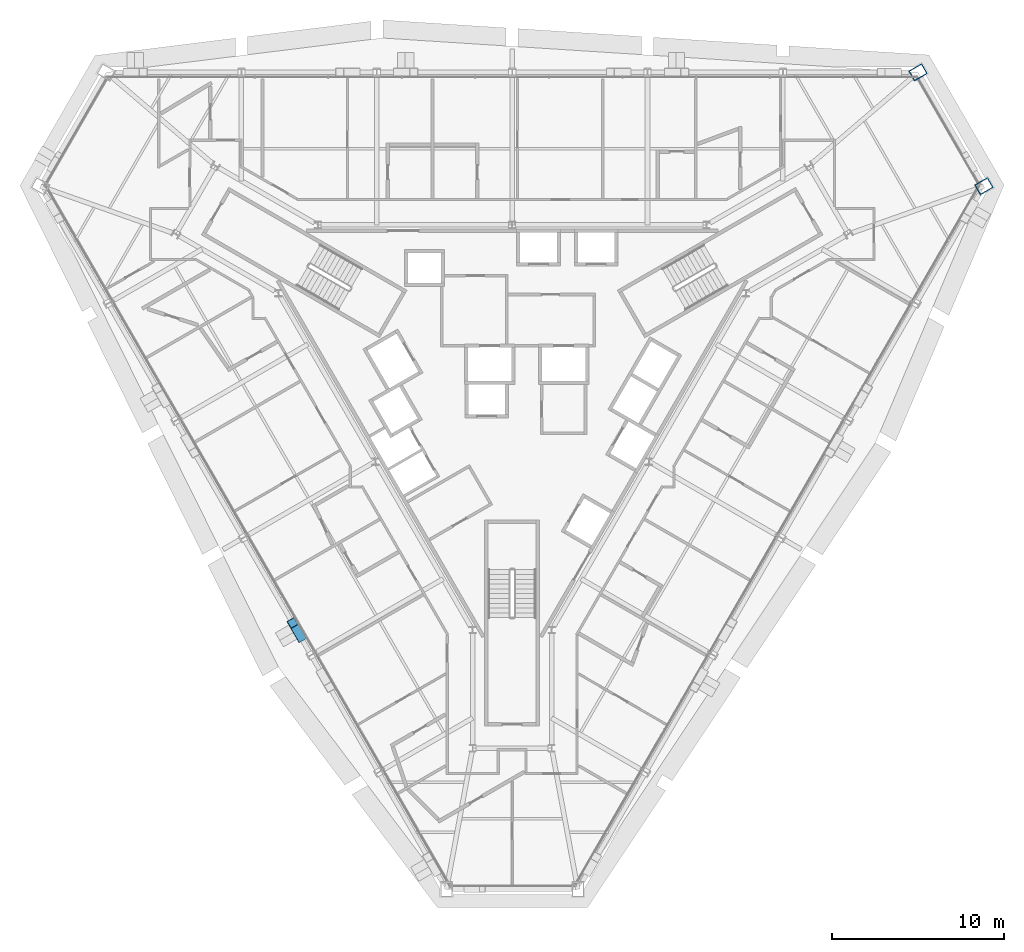
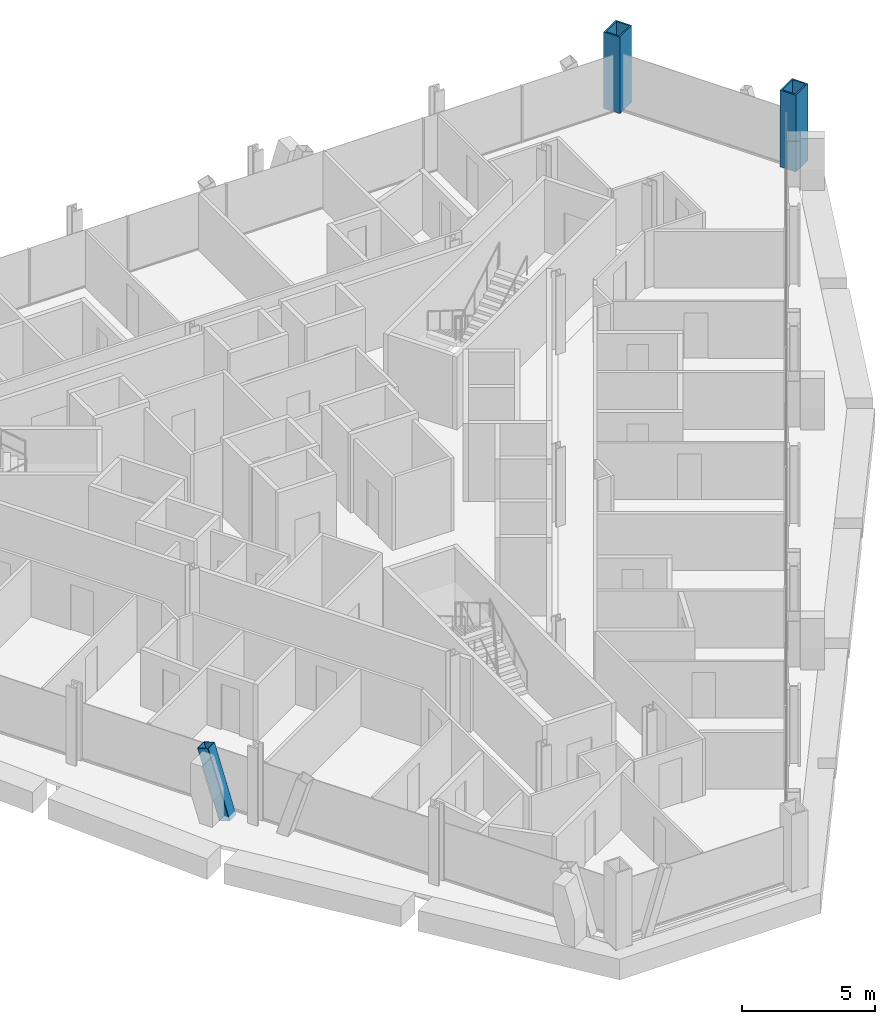
# One storey, part 2 of 17: 2 columns, 1 member.
"""IFC4 building model written with IfcOpenShell, lengths in metres."""

from ifc_helpers import new_model, si_unit, direction, frame, origin, origin_2d, place, context, subcontext, project, spatial, hollow_rectangle, extrude, material, material_profile, profile_set, type_object, element, save


model = new_model("IFC4")

# Units and contexts
model_context = context("Model", 3, precision=1e-05, world=origin(), true_north=direction((0.0, 1.0)))
body_context = subcontext(model_context, "Body", "Model", "MODEL_VIEW")
ifc_project = project(units=[si_unit("LENGTHUNIT", "METRE"), si_unit("AREAUNIT", "SQUARE_METRE"), si_unit("VOLUMEUNIT", "CUBIC_METRE"), si_unit("PLANEANGLEUNIT", "RADIAN"), si_unit("MASSUNIT", "GRAM", prefix="KILO")], contexts=[model_context])

# Site, building, storey
site_placement = place(None, origin())
site = spatial("IfcSite", under=ifc_project, at=site_placement, CompositionType="ELEMENT")
building_placement = place(site_placement, origin())
building = spatial("IfcBuilding", under=site, at=building_placement, Name="Verrane Prism Tower", CompositionType="ELEMENT")
storey_placement = place(building_placement, frame((0.0, 0.0, 96.39990234375)))
storey = spatial("IfcBuildingStorey", under=building, at=storey_placement, Name="L22", CompositionType="ELEMENT", Elevation=96.39990234375)

# Columns
ifc_material_1 = material(Name="Steel A572 Grade 50", Category="steel")
ifc_material_profile_1 = material_profile(ifc_material_1, hollow_rectangle(XDim=0.699951171875, YDim=0.89990234375, WallThickness=0.06494140625, at=origin_2d()), Name="BOX 900x700x65")
ifc_profile_set_1 = profile_set([ifc_material_profile_1], Name="Steel A572 Grade 50")
column_type = type_object("IfcColumnType", Name="Megacolumn BOX 900x700x65", PredefinedType="COLUMN", material=ifc_profile_set_1)
for number, where, z_axis, x_axis, name in (
    (1, (23.659912109375, 18.090087890625, 0.0), (0.0, 0.0, 1.0), (0.5, -0.866025403784, 0.0), "Megacolumn MC-NE.b L22"),
    (2, (27.5, 11.449951171875, 0.0), (0.0, 0.0, 1.0), (0.5, -0.866025403784, 0.0), "Megacolumn MC-NE.a L22"),
):
    element("IfcColumn", number, at=place(storey_placement, frame(where, z_axis=z_axis, x_axis=x_axis)), inside=storey, type_object=column_type, Name=name, PredefinedType="COLUMN", context=body_context, shape_type="SweptSolid", body=[
        extrude(hollow_rectangle(XDim=0.699951171875, YDim=0.89990234375, WallThickness=0.06494140625, at=origin_2d()), origin(), (0.0, 0.0, 1.0), 3.525146484375),
    ])

# Member
ifc_material_2 = material(Name="Steel A1085 Grade A", Category="steel")
ifc_material_profile_2 = material_profile(ifc_material_2, hollow_rectangle(XDim=0.508056640625, YDim=0.508056640625, WallThickness=0.025390625, InnerFilletRadius=0.0126953125, OuterFilletRadius=0.0380859375, at=origin_2d()), Name="HSS20x20x1")
ifc_profile_set_2 = profile_set([ifc_material_profile_2], Name="Steel A1085 Grade A")
member_type = type_object("IfcMemberType", Name="Facade brace HSS20x20x1", PredefinedType="BRACE", material=ifc_profile_set_2)
member_placement = place(storey_placement, frame((-12.330810546875, -14.822509765625, -0.242431640625), z_axis=(-0.149551525764, 0.25898513835, 0.954233220578), x_axis=(-0.865987196472, -0.500066171168, 0.0)))
element("IfcMember", 3, at=member_placement, inside=storey, type_object=member_type, Name="Facade brace SW3 L22", PredefinedType="BRACE", context=body_context, shape_type="SweptSolid", body=[
    extrude(hollow_rectangle(XDim=0.508056640625, YDim=0.508056640625, WallThickness=0.025390625, InnerFilletRadius=0.0126953125, OuterFilletRadius=0.0380859375, at=origin_2d()), origin(), (0.0, 0.0, 1.0), 3.15234375),
])

save(model, "model.ifc")
